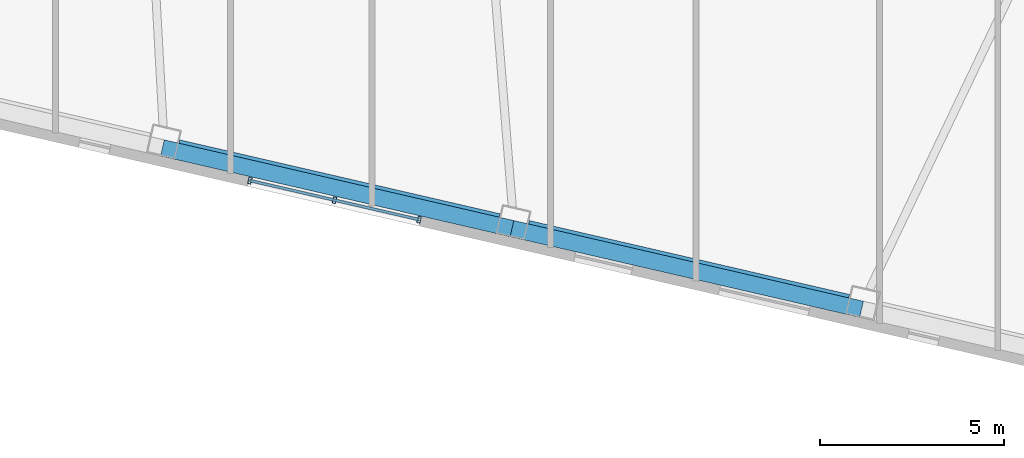
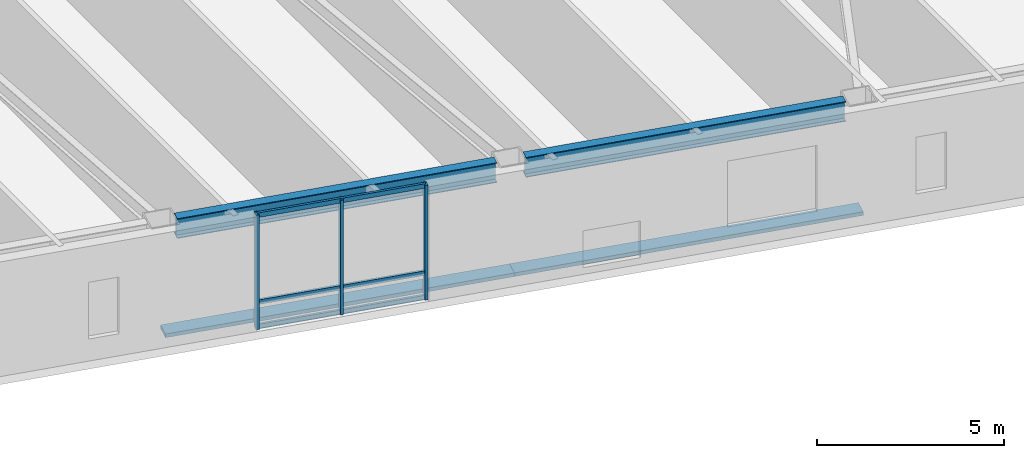
# One storey, part 6 of 23: 8 members, 2 beams, 1 element without a shape of its own.
"""IFC4 building model written with IfcOpenShell, lengths in metres."""

from ifc_helpers import new_model, si_unit, direction, frame, origin, origin_2d, place, context, subcontext, project, spatial, rectangle, hollow_rectangle, i_section, extrude, material, layer, layer_set, material_profile, profile_set, type_object, element, aggregate, save


model = new_model("IFC4")

# Units and contexts
model_context = context("Model", 3, precision=1e-05, world=origin(), true_north=direction((0.0, 1.0)))
body_context = subcontext(model_context, "Body", "Model", "MODEL_VIEW")
ifc_project = project(units=[si_unit("LENGTHUNIT", "METRE"), si_unit("AREAUNIT", "SQUARE_METRE"), si_unit("VOLUMEUNIT", "CUBIC_METRE"), si_unit("PLANEANGLEUNIT", "RADIAN"), si_unit("MASSUNIT", "GRAM", prefix="KILO")], contexts=[model_context])

# Site, building, storey
site_placement = place(None, origin())
site = spatial("IfcSite", under=ifc_project, at=site_placement, CompositionType="ELEMENT")
building_placement = place(site_placement, origin())
building = spatial("IfcBuilding", under=site, at=building_placement, Name="Tavrogorsk Clinical Tower", CompositionType="ELEMENT")
storey_placement = place(building_placement, frame((0.0, 0.0, 63.39990234375)))
storey = spatial("IfcBuildingStorey", under=building, at=storey_placement, Name="L13", CompositionType="ELEMENT", Elevation=63.39990234375)

# Members
ifc_material_1 = material(Name="Anodised aluminium alloy AW-6063", Category="aluminium")
ifc_material_profile_1 = material_profile(ifc_material_1, rectangle(XDim=0.449951171875, YDim=0.1201171875, at=origin_2d()), Name="ALU-SUNSHADE-450x120")
ifc_profile_set_1 = profile_set([ifc_material_profile_1], Name="Anodised aluminium alloy AW-6063")
member_type_1 = type_object("IfcMemberType", Name="ChicagoSunshade_450x120", PredefinedType="USERDEFINED", material=ifc_profile_set_1)
member_1_placement = place(storey_placement, frame((-3.296875, -27.353271484375, 0.18017578125), z_axis=(0.97437219846, -0.224941812182, 0.0), x_axis=(0.224941812182, 0.97437219846, 0.0)))
element("IfcMember", 1, at=member_1_placement, inside=storey, type_object=member_type_1, Name="L13 South Aluminium Sunshade S5", ObjectType="SUNSHADE", PredefinedType="USERDEFINED", context=body_context, shape_type="SweptSolid", body=[
    extrude(rectangle(XDim=0.449951171875, YDim=0.1201171875, at=origin_2d()), origin(), (0.0, 0.0, 1.0), 9.74853515625),
])
member_2_placement = place(storey_placement, frame((6.201904296875, -29.546142578125, 0.18017578125), z_axis=(0.974370931236, -0.2249473013, 0.0), x_axis=(0.2249473013, 0.974370931236, 0.0)))
element("IfcMember", 2, at=member_2_placement, inside=storey, type_object=member_type_1, Name="L13 South Aluminium Sunshade S6", ObjectType="SUNSHADE", PredefinedType="USERDEFINED", context=body_context, shape_type="SweptSolid", body=[
    extrude(rectangle(XDim=0.449951171875, YDim=0.1201171875, at=origin_2d()), origin(), (0.0, 0.0, 1.0), 9.748291015625),
])

# Curtain wall, members
ifc_material_2 = material(Name="Anodised aluminium and triple IGU glazing", Category="aluminium")
ifc_layer = layer(ifc_material_2, 0.179931640625)
ifc_layer_set = layer_set([ifc_layer], Name="Anodised aluminium and triple IGU glazing")
curtain_wall_type = type_object("IfcCurtainWallType", Name="CW3_SouthSlot", PredefinedType="NOTDEFINED", material=ifc_layer_set)
curtain_wall_placement = place(storey_placement, origin())
curtain_wall = element("IfcCurtainWall", 3, at=curtain_wall_placement, inside=storey, type_object=curtain_wall_type, Name="L13 Curtain Wall CW-L13-S-SLOT-2", PredefinedType="NOTDEFINED")
ifc_material_3 = material(Name="Anodised aluminium alloy AW-6060", Category="aluminium")
ifc_material_profile_2 = material_profile(ifc_material_3, hollow_rectangle(XDim=0.090087890625, YDim=0.179931640625, WallThickness=0.00634765625, at=origin_2d()), Name="RHS-180x90x6.3")
ifc_profile_set_2 = profile_set([ifc_material_profile_2], Name="Anodised aluminium alloy AW-6060")
member_type_2 = type_object("IfcMemberType", Name="CwMullion_180x90", PredefinedType="MULLION", material=ifc_profile_set_2)
member_3_placement = place(storey_placement, frame((-0.92041015625, -28.240478515625, 0.0), z_axis=(0.0, 0.0, 1.0), x_axis=(0.974370102963, -0.224950888978, 0.0)))
member_3 = element("IfcMember", 4, at=member_3_placement, type_object=member_type_2, Name="CW-L13-S-SLOT-2 Mullion 1", PredefinedType="MULLION", context=body_context, shape_type="SweptSolid", body=[
    extrude(hollow_rectangle(XDim=0.090087890625, YDim=0.179931640625, WallThickness=0.00634765625, at=origin_2d()), origin(), (0.0, 0.0, 1.0), 3.739990234375),
])
member_4_placement = place(storey_placement, frame((1.378173828125, -28.771240234375, 0.0), z_axis=(0.0, 0.0, 1.0), x_axis=(0.974370102963, -0.224950888978, 0.0)))
member_4 = element("IfcMember", 5, at=member_4_placement, type_object=member_type_2, Name="CW-L13-S-SLOT-2 Mullion 2", PredefinedType="MULLION", context=body_context, shape_type="SweptSolid", body=[
    extrude(hollow_rectangle(XDim=0.090087890625, YDim=0.179931640625, WallThickness=0.00634765625, at=origin_2d()), origin(), (0.0, 0.0, 1.0), 3.739990234375),
])
member_5_placement = place(storey_placement, frame((3.6767578125, -29.3017578125, 0.0), z_axis=(0.0, 0.0, 1.0), x_axis=(0.974370102963, -0.224950888978, 0.0)))
member_5 = element("IfcMember", 6, at=member_5_placement, type_object=member_type_2, Name="CW-L13-S-SLOT-2 Mullion 3", PredefinedType="MULLION", context=body_context, shape_type="SweptSolid", body=[
    extrude(hollow_rectangle(XDim=0.090087890625, YDim=0.179931640625, WallThickness=0.00634765625, at=origin_2d()), origin(), (0.0, 0.0, 1.0), 3.739990234375),
])
ifc_material_4 = material(Name="Anodised aluminium alloy AW-6060", Category="aluminium")
ifc_material_profile_3 = material_profile(ifc_material_4, hollow_rectangle(XDim=0.074951171875, YDim=0.14990234375, WallThickness=0.0048828125, at=origin_2d()), Name="RHS-150x75x5")
ifc_profile_set_3 = profile_set([ifc_material_profile_3], Name="Anodised aluminium alloy AW-6060")
member_type_3 = type_object("IfcMemberType", Name="CwTransom_150x75", PredefinedType="USERDEFINED", material=ifc_profile_set_3)
member_6_placement = place(storey_placement, frame((-0.92041015625, -28.240478515625, 0.050048828125), z_axis=(0.974372877948, -0.22493886885, 0.0), x_axis=(0.22493886885, 0.974372877948, 0.0)))
member_6 = element("IfcMember", 7, at=member_6_placement, type_object=member_type_3, Name="CW-L13-S-SLOT-2 Transom 1", ObjectType="TRANSOM", PredefinedType="USERDEFINED", context=body_context, shape_type="SweptSolid", body=[
    extrude(hollow_rectangle(XDim=0.074951171875, YDim=0.14990234375, WallThickness=0.0048828125, at=origin_2d()), origin(), (0.0, 0.0, 1.0), 4.718017578125),
])
member_7_placement = place(storey_placement, frame((-0.92041015625, -28.240478515625, 0.85009765625), z_axis=(0.974372877948, -0.22493886885, 0.0), x_axis=(0.22493886885, 0.974372877948, 0.0)))
member_7 = element("IfcMember", 8, at=member_7_placement, type_object=member_type_3, Name="CW-L13-S-SLOT-2 Transom 2", ObjectType="TRANSOM", PredefinedType="USERDEFINED", context=body_context, shape_type="SweptSolid", body=[
    extrude(hollow_rectangle(XDim=0.074951171875, YDim=0.14990234375, WallThickness=0.0048828125, at=origin_2d()), origin(), (0.0, 0.0, 1.0), 4.718017578125),
])
member_8_placement = place(storey_placement, frame((-0.92041015625, -28.240478515625, 3.690185546875), z_axis=(0.974372877948, -0.22493886885, 0.0), x_axis=(0.22493886885, 0.974372877948, 0.0)))
member_8 = element("IfcMember", 9, at=member_8_placement, type_object=member_type_3, Name="CW-L13-S-SLOT-2 Transom 3", ObjectType="TRANSOM", PredefinedType="USERDEFINED", context=body_context, shape_type="SweptSolid", body=[
    extrude(hollow_rectangle(XDim=0.074951171875, YDim=0.14990234375, WallThickness=0.0048828125, at=origin_2d()), origin(), (0.0, 0.0, 1.0), 4.718017578125),
])
aggregate(curtain_wall, [member_3, member_4, member_5, member_6, member_7, member_8])

# Beams
ifc_material_5 = material(Name="Structural steel S390", Category="steel")
ifc_material_profile_4 = material_profile(ifc_material_5, i_section(OverallWidth=0.280029296875, OverallDepth=0.64990234375, WebThickness=0.01611328125, FlangeThickness=0.02490234375, at=origin_2d()), Name="B-650x280x16x25")
ifc_profile_set_4 = profile_set([ifc_material_profile_4], Name="Structural steel S390")
beam_type = type_object("IfcBeamType", Name="SpandrelBeam_B650", PredefinedType="SPANDREL", material=ifc_profile_set_4)
for number, where, z_axis, x_axis, name in (
    (10, (-2.85888671875, -27.26953125, 3.4150390625), (0.974372766602, -0.224939351168, 0.0), (0.224939351168, 0.974372766602, 0.0), "L13 Perimeter Spandrel S5-S6"),
    (11, (6.639892578125, -29.46240234375, 3.4150390625), (0.974366775889, -0.224965299645, 0.0), (0.224965299645, 0.974366775889, 0.0), "L13 Perimeter Spandrel S6-S7"),
):
    element("IfcBeam", number, at=place(storey_placement, frame(where, z_axis=z_axis, x_axis=x_axis)), inside=storey, type_object=beam_type, Name=name, PredefinedType="SPANDREL", context=body_context, shape_type="SweptSolid", body=[
        extrude(i_section(OverallWidth=0.280029296875, OverallDepth=0.64990234375, WebThickness=0.01611328125, FlangeThickness=0.02490234375, at=origin_2d()), origin(), (0.0, 0.0, 1.0), 8.9326171875),
    ])

save(model, "model.ifc")
